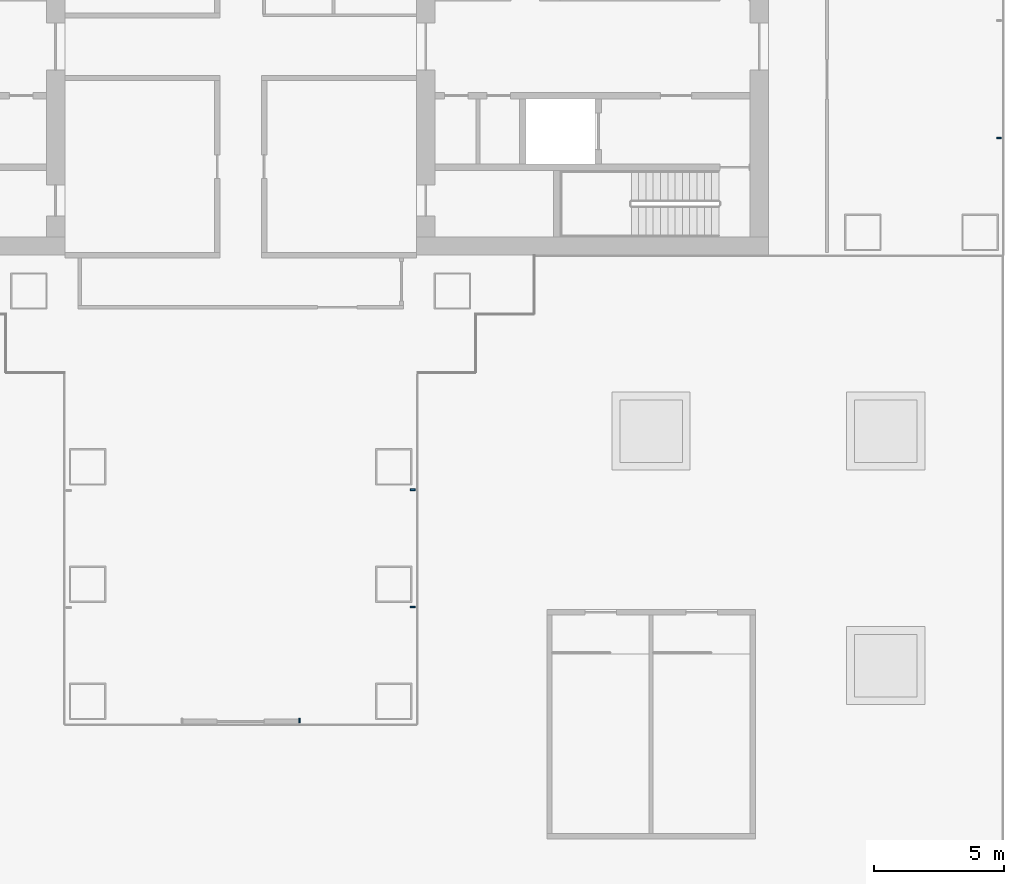
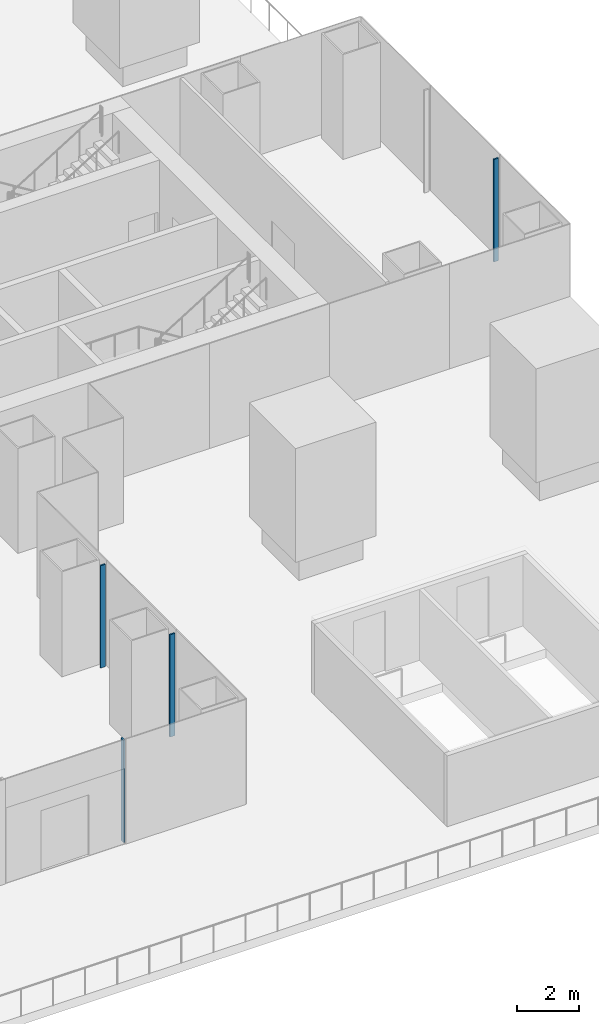
# One storey, part 8 of 23: 4 members, 3 elements without a shape of their own.
"""IFC4 building model written with IfcOpenShell, lengths in metres."""

from ifc_helpers import new_model, si_unit, direction, frame, origin, origin_2d, place, context, subcontext, project, spatial, rectangle, extrude, material, layer, layer_set, material_profile, profile_set, type_object, element, aggregate, save


model = new_model("IFC4")

# Units and contexts
model_context = context("Model", 3, precision=1e-05, world=origin(), true_north=direction((0.0, 1.0)))
body_context = subcontext(model_context, "Body", "Model", "MODEL_VIEW")
ifc_project = project(units=[si_unit("LENGTHUNIT", "METRE"), si_unit("AREAUNIT", "SQUARE_METRE"), si_unit("VOLUMEUNIT", "CUBIC_METRE"), si_unit("PLANEANGLEUNIT", "RADIAN"), si_unit("MASSUNIT", "GRAM", prefix="KILO")], contexts=[model_context])

# Site, building, storey
site_placement = place(None, origin())
site = spatial("IfcSite", under=ifc_project, at=site_placement, CompositionType="ELEMENT")
building_placement = place(site_placement, origin())
building = spatial("IfcBuilding", under=site, at=building_placement, Name="Shamsa Quay Exchange Towers", CompositionType="ELEMENT")
storey_placement = place(building_placement, frame((0.0, 0.0, 28.5)))
storey = spatial("IfcBuildingStorey", under=building, at=storey_placement, Name="L05", CompositionType="ELEMENT", Elevation=28.5)

# Curtain wall, member
ifc_material = material(Name="Aluminium EN AW-6063 T6, black anodised", Category="aluminium")
ifc_layer = layer(ifc_material, 0.280029296875)
ifc_layer_set = layer_set([ifc_layer], Name="CW-1 UNITISED VISION GLASS")
curtain_wall_type = type_object("IfcCurtainWallType", Name="CW-1 UNITISED VISION GLASS", PredefinedType="NOTDEFINED", material=ifc_layer_set)
curtain_wall_1_placement = place(storey_placement, origin())
curtain_wall_1 = element("IfcCurtainWall", 1, at=curtain_wall_1_placement, inside=storey, type_object=curtain_wall_type, Name="CW1 T2-END-V- L05", PredefinedType="NOTDEFINED")
ifc_material_profile = material_profile(ifc_material, rectangle(XDim=0.179931640625, YDim=0.06005859375, at=origin_2d()), Name="MU60x180")
ifc_profile_set = profile_set([ifc_material_profile], Name="Aluminium EN AW-6063 T6, black anodised")
member_type = type_object("IfcMemberType", Name="CW1 MULLION 60x180", PredefinedType="MULLION", material=ifc_profile_set)
member_1_placement = place(storey_placement, frame((62.85009765625, -2.25, 0.0), z_axis=(0.0, 0.0, 1.0), x_axis=(-1.0, 0.0, 0.0)))
member_1 = element("IfcMember", 2, at=member_1_placement, type_object=member_type, Name="CW1 mullion", PredefinedType="MULLION", context=body_context, shape_type="SweptSolid", body=[
    extrude(rectangle(XDim=0.179931640625, YDim=0.06005859375, at=origin_2d()), origin(), (0.0, 0.0, 1.0), 4.050048828125),
])
aggregate(curtain_wall_1, [member_1])

curtain_wall_2_placement = place(storey_placement, origin())
curtain_wall_2 = element("IfcCurtainWall", 3, at=curtain_wall_2_placement, inside=storey, type_object=curtain_wall_type, Name="CW1 T2-END-U- L05", PredefinedType="NOTDEFINED")
member_2_placement = place(storey_placement, frame((36.0, -24.60009765625, 0.0), z_axis=(0.0, 0.0, 1.0), x_axis=(0.0, 1.0, 0.0)))
member_2 = element("IfcMember", 4, at=member_2_placement, type_object=member_type, Name="CW1 mullion", PredefinedType="MULLION", context=body_context, shape_type="SweptSolid", body=[
    extrude(rectangle(XDim=0.179931640625, YDim=0.06005859375, at=origin_2d()), origin(), (0.0, 0.0, 1.0), 4.050048828125),
])
aggregate(curtain_wall_2, [member_2])

# Curtain wall, members
curtain_wall_3_placement = place(storey_placement, origin())
curtain_wall_3 = element("IfcCurtainWall", 5, at=curtain_wall_3_placement, inside=storey, type_object=curtain_wall_type, Name="CW1 T2-FLK-U-S L05", PredefinedType="NOTDEFINED")
member_3_placement = place(storey_placement, frame((40.35009765625, -20.25, 0.0), z_axis=(0.0, 0.0, 1.0), x_axis=(-1.0, 0.0, 0.0)))
member_3 = element("IfcMember", 6, at=member_3_placement, type_object=member_type, Name="CW1 mullion", PredefinedType="MULLION", context=body_context, shape_type="SweptSolid", body=[
    extrude(rectangle(XDim=0.179931640625, YDim=0.06005859375, at=origin_2d()), origin(), (0.0, 0.0, 1.0), 4.050048828125),
])
member_4_placement = place(storey_placement, frame((40.35009765625, -15.75, 0.0), z_axis=(0.0, 0.0, 1.0), x_axis=(-1.0, 0.0, 0.0)))
member_4 = element("IfcMember", 7, at=member_4_placement, type_object=member_type, Name="CW1 mullion", PredefinedType="MULLION", context=body_context, shape_type="SweptSolid", body=[
    extrude(rectangle(XDim=0.179931640625, YDim=0.06005859375, at=origin_2d()), origin(), (0.0, 0.0, 1.0), 4.050048828125),
])
aggregate(curtain_wall_3, [member_3, member_4])

save(model, "model.ifc")
